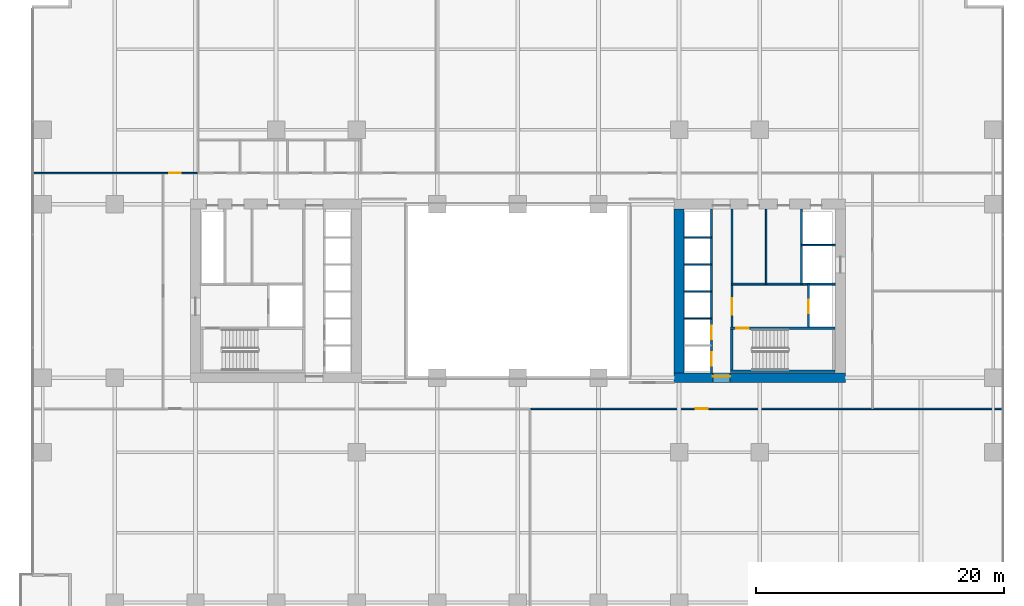
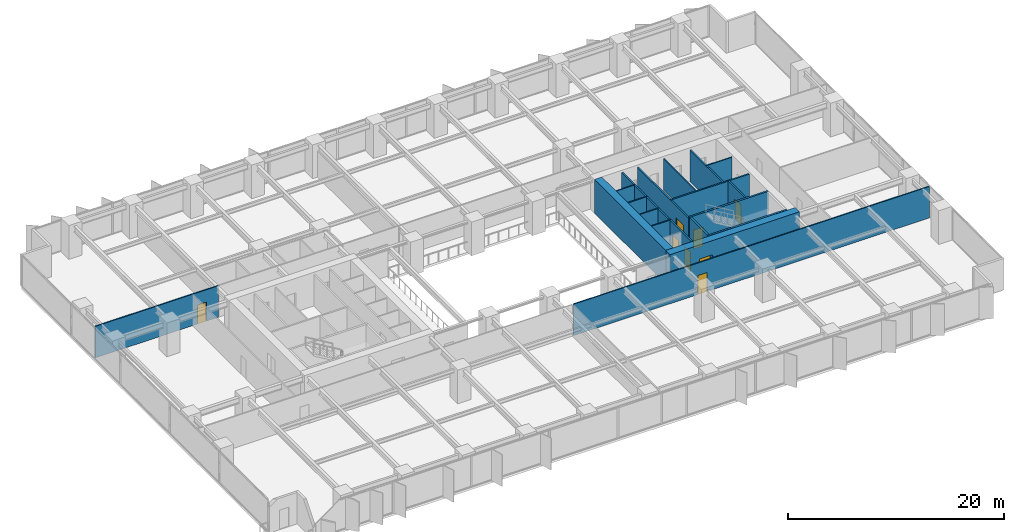
# One storey, part 14 of 20: 18 walls, 8 doors, 8 openings.
"""IFC4 building model written with IfcOpenShell, lengths in metres."""

from ifc_helpers import new_model, si_unit, direction, frame, frame_2d, origin, place, context, subcontext, project, spatial, rectangle, extrude, material, layer, layer_set, type_object, element, fill, save


model = new_model("IFC4")

# Units and contexts
model_context = context("Model", 3, precision=1e-05, world=origin(), true_north=direction((0.0, 1.0)))
body_context = subcontext(model_context, "Body", "Model", "MODEL_VIEW")
ifc_project = project(units=[si_unit("LENGTHUNIT", "METRE"), si_unit("AREAUNIT", "SQUARE_METRE"), si_unit("VOLUMEUNIT", "CUBIC_METRE"), si_unit("PLANEANGLEUNIT", "RADIAN"), si_unit("MASSUNIT", "GRAM", prefix="KILO")], contexts=[model_context])

# Site, building, storey
site_placement = place(None, origin())
site = spatial("IfcSite", under=ifc_project, at=site_placement, CompositionType="ELEMENT")
building_placement = place(site_placement, origin())
building = spatial("IfcBuilding", under=site, at=building_placement, Name="Putna Gate Headquarters", CompositionType="ELEMENT")
storey_placement = place(building_placement, frame((0.0, 0.0, 35.39990234375)))
storey = spatial("IfcBuildingStorey", under=building, at=storey_placement, Name="L07", CompositionType="ELEMENT", Elevation=35.39990234375)

# Wall, opening, door
ifc_material_1 = material(Name="Concrete C60/75", Category="concrete")
ifc_layer_1 = layer(ifc_material_1, 0.800048828125)
ifc_layer_set_1 = layer_set([ifc_layer_1], Name="Concrete C60/75")
wall_type_1 = type_object("IfcWallType", Name="WALL-CORE-800", PredefinedType="SHEAR", material=ifc_layer_set_1)
wall_1_placement = place(storey_placement, frame((51.60009765625, 19.0, 0.0), z_axis=(0.0, 0.0, 1.0), x_axis=(1.0, 0.0, 0.0)))
wall_1 = element("IfcWall", 1, at=wall_1_placement, inside=storey, type_object=wall_type_1, Name="L07 EC Split Core Shear Wall S", PredefinedType="SHEAR", context=body_context, shape_type="SweptSolid", body=[
    extrude(rectangle(XDim=13.7998046875, YDim=0.800048828125, at=frame_2d((6.89990234375, 0.0))), origin(), (0.0, 0.0, 1.0), 3.800048828125),
])
opening_1_placement = place(wall_1_placement, frame((3.1201171875, 0.0, 0.0)))
opening_1 = element("IfcOpeningElement", 2, at=opening_1_placement, cuts=wall_1, Name="Opening FDD-140", PredefinedType="OPENING", context=body_context, shape_type="SweptSolid", body=[
    extrude(rectangle(XDim=1.39990234375, YDim=2.199951171875, at=frame_2d((0.699951171875, 1.10009765625))), frame((0.0, 0.409912109375, 0.0), z_axis=(0.0, -1.0, 0.0), x_axis=(1.0, 0.0, 0.0)), (0.0, 0.0, 1.0), 0.820068359375),
])
ifc_material_2 = material(Name="Double steel fire door", Category="steel")
door_type_1 = type_object("IfcDoorType", Name="DOOR-FIRE-DBL-1400", OperationType="DOUBLE_DOOR_SINGLE_SWING", PredefinedType="DOOR", material=ifc_material_2)
door_1_placement = place(opening_1_placement, origin())
door_1 = element("IfcDoor", 3, at=door_1_placement, inside=storey, type_object=door_type_1, Name="L07 East Lift Lobby South Door", OperationType="DOUBLE_DOOR_SINGLE_SWING", OverallHeight=2.199951171875, OverallWidth=1.39990234375, PredefinedType="DOOR", context=body_context, shape_type="SweptSolid", body=[
    extrude(rectangle(XDim=1.39990234375, YDim=2.199951171875, at=frame_2d((0.699951171875, 1.10009765625))), frame((0.0, 0.125, 0.0), z_axis=(0.0, -1.0, 0.0), x_axis=(1.0, 0.0, 0.0)), (0.0, 0.0, 1.0), 0.050048828125),
])
fill(opening_1, door_1)

# Walls
wall_2_placement = place(storey_placement, frame((52.0, 19.39990234375, 0.0), z_axis=(0.0, 0.0, 1.0), x_axis=(0.0, 1.0, 0.0)))
element("IfcWall", 4, at=wall_2_placement, inside=storey, type_object=wall_type_1, Name="L07 EC Split Core Shear Wall W", PredefinedType="SHEAR", context=body_context, shape_type="SweptSolid", body=[
    extrude(rectangle(XDim=13.2001953125, YDim=0.800048828125, at=frame_2d((6.60009765625, 0.0))), origin(), (0.0, 0.0, 1.0), 3.800048828125),
])
ifc_material_3 = material(Name="Fire-rated shaftwall gypsum board on metal stud")
ifc_layer_2 = layer(ifc_material_3, 0.1201171875)
ifc_layer_set_2 = layer_set([ifc_layer_2], Name="Fire-rated shaftwall gypsum board on metal stud")
wall_type_2 = type_object("IfcWallType", Name="WALL-PART-120-EI120", PredefinedType="PARTITIONING", material=ifc_layer_set_2)
for number, where, z_axis, x_axis, name in (
    (5, (52.39990234375, 23.780029296875, 0.0), (0.0, 0.0, 1.0), (1.0, 0.0, 0.0), "L07 Interior Wall CWINT-L07-EC-LF04-DIV"),
    (6, (52.39990234375, 25.949951171875, 0.0), (0.0, 0.0, 1.0), (1.0, 0.0, 0.0), "L07 Interior Wall CWINT-L07-EC-LF07-DIV"),
    (7, (52.39990234375, 28.1201171875, 0.0), (0.0, 0.0, 1.0), (1.0, 0.0, 0.0), "L07 Interior Wall CWINT-L07-EC-LF08-DIV"),
    (8, (52.39990234375, 30.31005859375, 0.0), (0.0, 0.0, 1.0), (1.0, 0.0, 0.0), "L07 Interior Wall CWINT-L07-EC-LF11-DIV"),
):
    element("IfcWall", number, at=place(storey_placement, frame(where, z_axis=z_axis, x_axis=x_axis)), inside=storey, type_object=wall_type_2, Name=name, PredefinedType="PARTITIONING", context=body_context, shape_type="SweptSolid", body=[
        extrude(rectangle(XDim=2.2001953125, YDim=0.1201171875, at=frame_2d((1.10009765625, 0.0))), origin(), (0.0, 0.0, 1.0), 3.550048828125),
    ])
wall_3_placement = place(storey_placement, frame((61.8701171875, 29.699951171875, 0.0), z_axis=(0.0, 0.0, 1.0), x_axis=(1.0, 0.0, 0.0)))
element("IfcWall", 9, at=wall_3_placement, inside=storey, type_object=wall_type_2, Name="L07 Interior Wall CWINT-L07-EC-LF15-N", PredefinedType="PARTITIONING", context=body_context, shape_type="SweptSolid", body=[
    extrude(rectangle(XDim=2.72998046875, YDim=0.1201171875, at=frame_2d((1.364990234375, 0.0))), origin(), (0.0, 0.0, 1.0), 3.550048828125),
])
ifc_material_4 = material(Name="Fire-rated gypsum board on metal stud")
ifc_layer_3 = layer(ifc_material_4, 0.1201171875)
ifc_layer_set_3 = layer_set([ifc_layer_3], Name="Fire-rated gypsum board on metal stud")
wall_type_3 = type_object("IfcWallType", Name="WALL-PART-120-RATED", PredefinedType="PARTITIONING", material=ifc_layer_set_3)
wall_4_placement = place(storey_placement, frame((59.02001953125, 26.56005859375, 0.0), z_axis=(0.0, 0.0, 1.0), x_axis=(0.0, 1.0, 0.0)))
element("IfcWall", 10, at=wall_4_placement, inside=storey, type_object=wall_type_3, Name="L07 Interior Wall CWINT-L07-EC-K1-DIV", PredefinedType="PARTITIONING", context=body_context, shape_type="SweptSolid", body=[
    extrude(rectangle(XDim=6.0400390625, YDim=0.1201171875, at=frame_2d((3.02001953125, 0.0))), origin(), (0.0, 0.0, 1.0), 3.550048828125),
])

# Wall, opening, door
wall_5_placement = place(storey_placement, frame((-0.02001953125, 35.5, 0.0), z_axis=(0.0, 0.0, 1.0), x_axis=(1.0, 0.0, 0.0)))
wall_5 = element("IfcWall", 11, at=wall_5_placement, inside=storey, type_object=wall_type_3, Name="L07 Interior Wall PART-L07-NB-CW-01", PredefinedType="PARTITIONING", context=body_context, shape_type="SweptSolid", body=[
    extrude(rectangle(XDim=13.159912109375, YDim=0.1201171875, at=frame_2d((6.580078125, 0.0))), origin(), (0.0, 0.0, 1.0), 3.550048828125),
])
opening_2_placement = place(wall_5_placement, frame((10.89990234375, 0.0, 0.0)))
opening_2 = element("IfcOpeningElement", 12, at=opening_2_placement, cuts=wall_5, Name="Opening FD-95", PredefinedType="OPENING", context=body_context, shape_type="SweptSolid", body=[
    extrude(rectangle(XDim=0.949951171875, YDim=2.14990234375, at=frame_2d((0.47509765625, 1.074951171875))), frame((0.0, 0.070068359375, 0.0), z_axis=(0.0, -1.0, 0.0), x_axis=(1.0, 0.0, 0.0)), (0.0, 0.0, 1.0), 0.14013671875),
])
ifc_material_5 = material(Name="Acoustic timber fire door", Category="wood")
door_type_2 = type_object("IfcDoorType", Name="DOOR-FIRE-950", OperationType="NOTDEFINED", PredefinedType="DOOR", material=ifc_material_5)
door_2_placement = place(opening_2_placement, origin())
door_2 = element("IfcDoor", 13, at=door_2_placement, inside=storey, type_object=door_type_2, Name="L07 Cellular Office 1 Door", OperationType="SINGLE_SWING_LEFT", OverallHeight=2.14990234375, OverallWidth=0.949951171875, PredefinedType="DOOR", context=body_context, shape_type="SweptSolid", body=[
    extrude(rectangle(XDim=0.949951171875, YDim=2.14990234375, at=frame_2d((0.47509765625, 1.074951171875))), frame((0.0, 0.02490234375, 0.0), z_axis=(0.0, -1.0, 0.0), x_axis=(1.0, 0.0, 0.0)), (0.0, 0.0, 1.0), 0.050048828125),
])
fill(opening_2, door_2)

wall_6_placement = place(storey_placement, frame((40.043212890625, 16.5, 0.0), z_axis=(0.0, 0.0, 1.0), x_axis=(1.0, 0.0, 0.0)))
wall_6 = element("IfcWall", 14, at=wall_6_placement, inside=storey, type_object=wall_type_3, Name="L07 Interior Wall PART-L07-SB-CW-02", PredefinedType="PARTITIONING", context=body_context, shape_type="SweptSolid", body=[
    extrude(rectangle(XDim=37.976806640625, YDim=0.1201171875, at=frame_2d((18.98828125, 0.0))), origin(), (0.0, 0.0, 1.0), 3.550048828125),
])
opening_3_placement = place(wall_6_placement, frame((13.30322265625, 0.0, 0.0)))
opening_3 = element("IfcOpeningElement", 15, at=opening_3_placement, cuts=wall_6, Name="Opening FD-95", PredefinedType="OPENING", context=body_context, shape_type="SweptSolid", body=[
    extrude(rectangle(XDim=0.949951171875, YDim=2.14990234375, at=frame_2d((0.47509765625, 1.074951171875))), frame((0.0, 0.070068359375, 0.0), z_axis=(0.0, -1.0, 0.0), x_axis=(1.0, 0.0, 0.0)), (0.0, 0.0, 1.0), 0.14013671875),
])
door_3_placement = place(opening_3_placement, origin())
door_3 = element("IfcDoor", 16, at=door_3_placement, inside=storey, type_object=door_type_2, Name="L07 Quiet Wellness Focus Studio 2 Door", OperationType="SINGLE_SWING_LEFT", OverallHeight=2.14990234375, OverallWidth=0.949951171875, PredefinedType="DOOR", context=body_context, shape_type="SweptSolid", body=[
    extrude(rectangle(XDim=0.949951171875, YDim=2.14990234375, at=frame_2d((0.47509765625, 1.074951171875))), frame((0.0, 0.02490234375, 0.0), z_axis=(0.0, -1.0, 0.0), x_axis=(1.0, 0.0, 0.0)), (0.0, 0.0, 1.0), 0.050048828125),
])
fill(opening_3, door_3)

# Wall, openings, doors
ifc_material_6 = material(Name="Concrete C40/50", Category="concrete")
ifc_layer_4 = layer(ifc_material_6, 0.159912109375)
ifc_layer_set_4 = layer_set([ifc_layer_4], Name="Concrete C40/50")
wall_type_4 = type_object("IfcWallType", Name="WALL-SHAFT-160", PredefinedType="STANDARD", material=ifc_layer_set_4)
wall_7_placement = place(storey_placement, frame((54.60009765625, 19.39990234375, 0.0), z_axis=(0.0, 0.0, 1.0), x_axis=(0.0, 1.0, 0.0)))
wall_7 = element("IfcWall", 17, at=wall_7_placement, inside=storey, type_object=wall_type_4, Name="L07 Interior Wall CWINT-L07-EC-PL-WALL", PredefinedType="STANDARD", context=body_context, shape_type="SweptSolid", body=[
    extrude(rectangle(XDim=13.2001953125, YDim=0.159912109375, at=frame_2d((6.60009765625, 0.0))), origin(), (0.0, 0.0, 1.0), 3.550048828125),
])
opening_4_placement = place(wall_7_placement, frame((0.550048828125, 0.0, 0.0)))
opening_4 = element("IfcOpeningElement", 18, at=opening_4_placement, cuts=wall_7, Name="Opening LD-1", PredefinedType="OPENING", context=body_context, shape_type="SweptSolid", body=[
    extrude(rectangle(XDim=1.10009765625, YDim=2.199951171875, at=frame_2d((0.550048828125, 1.10009765625))), frame((0.0, 0.08984375, 0.0), z_axis=(0.0, -1.0, 0.0), x_axis=(1.0, 0.0, 0.0)), (0.0, 0.0, 1.0), 0.179931640625),
])
opening_5_placement = place(wall_7_placement, frame((2.699951171875, 0.0, 0.0)))
opening_5 = element("IfcOpeningElement", 19, at=opening_5_placement, cuts=wall_7, Name="Opening LD-1", PredefinedType="OPENING", context=body_context, shape_type="SweptSolid", body=[
    extrude(rectangle(XDim=1.10009765625, YDim=2.199951171875, at=frame_2d((0.550048828125, 1.10009765625))), frame((0.0, 0.08984375, 0.0), z_axis=(0.0, -1.0, 0.0), x_axis=(1.0, 0.0, 0.0)), (0.0, 0.0, 1.0), 0.179931640625),
])
ifc_material_7 = material(Name="Brushed bronze stainless lift landing door")
door_type_3 = type_object("IfcDoorType", Name="DOOR-LIFT-1100", OperationType="DOUBLE_DOOR_SLIDING", PredefinedType="DOOR", material=ifc_material_7)
door_4_placement = place(opening_4_placement, origin())
door_4 = element("IfcDoor", 20, at=door_4_placement, inside=storey, type_object=door_type_3, Name="L07 Lift Landing Door LD-03", OperationType="DOUBLE_DOOR_SLIDING", OverallHeight=2.199951171875, OverallWidth=1.10009765625, PredefinedType="DOOR", context=body_context, shape_type="SweptSolid", body=[
    extrude(rectangle(XDim=1.10009765625, YDim=2.199951171875, at=frame_2d((0.550048828125, 1.10009765625))), frame((0.0, 0.02490234375, 0.0), z_axis=(0.0, -1.0, 0.0), x_axis=(1.0, 0.0, 0.0)), (0.0, 0.0, 1.0), 0.050048828125),
])
fill(opening_4, door_4)
door_5_placement = place(opening_5_placement, origin())
door_5 = element("IfcDoor", 21, at=door_5_placement, inside=storey, type_object=door_type_3, Name="L07 Lift Landing Door LD-04", OperationType="DOUBLE_DOOR_SLIDING", OverallHeight=2.199951171875, OverallWidth=1.10009765625, PredefinedType="DOOR", context=body_context, shape_type="SweptSolid", body=[
    extrude(rectangle(XDim=1.10009765625, YDim=2.199951171875, at=frame_2d((0.550048828125, 1.10009765625))), frame((0.0, 0.02490234375, 0.0), z_axis=(0.0, -1.0, 0.0), x_axis=(1.0, 0.0, 0.0)), (0.0, 0.0, 1.0), 0.050048828125),
])
fill(opening_5, door_5)

# Wall, opening, door
wall_8_placement = place(storey_placement, frame((56.260009765625, 23.090087890625, 0.0), z_axis=(0.0, 0.0, 1.0), x_axis=(0.0, 1.0, 0.0)))
wall_8 = element("IfcWall", 22, at=wall_8_placement, inside=storey, type_object=wall_type_4, Name="L07 Interior Wall CWINT-L07-EC-LOB-E", PredefinedType="STANDARD", context=body_context, shape_type="SweptSolid", body=[
    extrude(rectangle(XDim=9.510009765625, YDim=0.159912109375, at=frame_2d((4.7548828125, 0.0))), origin(), (0.0, 0.0, 1.0), 3.550048828125),
])
opening_6_placement = place(wall_8_placement, frame((1.010009765625, 0.0, 0.0)))
opening_6 = element("IfcOpeningElement", 23, at=opening_6_placement, cuts=wall_8, Name="Opening FDD-130", PredefinedType="OPENING", context=body_context, shape_type="SweptSolid", body=[
    extrude(rectangle(XDim=1.300048828125, YDim=2.199951171875, at=frame_2d((0.64990234375, 1.10009765625))), frame((0.0, 0.08984375, 0.0), z_axis=(0.0, -1.0, 0.0), x_axis=(1.0, 0.0, 0.0)), (0.0, 0.0, 1.0), 0.179931640625),
])
ifc_material_8 = material(Name="Double steel lobby fire door", Category="steel")
door_type_4 = type_object("IfcDoorType", Name="DOOR-FIRE-DBL-1300", OperationType="DOUBLE_DOOR_SINGLE_SWING", PredefinedType="DOOR", material=ifc_material_8)
door_6_placement = place(opening_6_placement, origin())
door_6 = element("IfcDoor", 24, at=door_6_placement, inside=storey, type_object=door_type_4, Name="L07 East Firefighting Lobby Door", OperationType="DOUBLE_DOOR_SINGLE_SWING", OverallHeight=2.199951171875, OverallWidth=1.300048828125, PredefinedType="DOOR", context=body_context, shape_type="SweptSolid", body=[
    extrude(rectangle(XDim=1.300048828125, YDim=2.199951171875, at=frame_2d((0.64990234375, 1.10009765625))), frame((0.0, 0.02490234375, 0.0), z_axis=(0.0, -1.0, 0.0), x_axis=(1.0, 0.0, 0.0)), (0.0, 0.0, 1.0), 0.050048828125),
])
fill(opening_6, door_6)

wall_9_placement = place(storey_placement, frame((62.429931640625, 23.090087890625, 0.0), z_axis=(0.0, 0.0, 1.0), x_axis=(0.0, 1.0, 0.0)))
wall_9 = element("IfcWall", 25, at=wall_9_placement, inside=storey, type_object=wall_type_4, Name="L07 Interior Wall CWINT-L07-EC-LF14-W", PredefinedType="STANDARD", context=body_context, shape_type="SweptSolid", body=[
    extrude(rectangle(XDim=3.469970703125, YDim=0.159912109375, at=frame_2d((1.73486328125, 0.0))), origin(), (0.0, 0.0, 1.0), 3.550048828125),
])
opening_7_placement = place(wall_9_placement, frame((1.10009765625, 0.0, 0.0)))
opening_7 = element("IfcOpeningElement", 26, at=opening_7_placement, cuts=wall_9, Name="Opening LD-1", PredefinedType="OPENING", context=body_context, shape_type="SweptSolid", body=[
    extrude(rectangle(XDim=1.10009765625, YDim=2.199951171875, at=frame_2d((0.550048828125, 1.10009765625))), frame((0.0, 0.08984375, 0.0), z_axis=(0.0, -1.0, 0.0), x_axis=(1.0, 0.0, 0.0)), (0.0, 0.0, 1.0), 0.179931640625),
])
door_7_placement = place(opening_7_placement, origin())
door_7 = element("IfcDoor", 27, at=door_7_placement, inside=storey, type_object=door_type_3, Name="L07 Lift Landing Door LD-14", OperationType="DOUBLE_DOOR_SLIDING", OverallHeight=2.199951171875, OverallWidth=1.10009765625, PredefinedType="DOOR", context=body_context, shape_type="SweptSolid", body=[
    extrude(rectangle(XDim=1.10009765625, YDim=2.199951171875, at=frame_2d((0.550048828125, 1.10009765625))), frame((0.0, 0.02490234375, 0.0), z_axis=(0.0, -1.0, 0.0), x_axis=(1.0, 0.0, 0.0)), (0.0, 0.0, 1.0), 0.050048828125),
])
fill(opening_7, door_7)

# Walls
wall_10_placement = place(storey_placement, frame((56.260009765625, 26.56005859375, 0.0), z_axis=(0.0, 0.0, 1.0), x_axis=(1.0, 0.0, 0.0)))
element("IfcWall", 28, at=wall_10_placement, inside=storey, type_object=wall_type_4, Name="L07 Interior Wall CWINT-L07-EC-FFL-N", PredefinedType="STANDARD", context=body_context, shape_type="SweptSolid", body=[
    extrude(rectangle(XDim=8.340087890625, YDim=0.159912109375, at=frame_2d((4.169921875, 0.0))), origin(), (0.0, 0.0, 1.0), 3.550048828125),
])
wall_11_placement = place(storey_placement, frame((61.8701171875, 26.56005859375, 0.0), z_axis=(0.0, 0.0, 1.0), x_axis=(0.0, 1.0, 0.0)))
element("IfcWall", 29, at=wall_11_placement, inside=storey, type_object=wall_type_4, Name="L07 Interior Wall CWINT-L07-EC-LF15-W", PredefinedType="STANDARD", context=body_context, shape_type="SweptSolid", body=[
    extrude(rectangle(XDim=6.0400390625, YDim=0.159912109375, at=frame_2d((3.02001953125, 0.0))), origin(), (0.0, 0.0, 1.0), 3.550048828125),
])
ifc_layer_5 = layer(ifc_material_6, 0.199951171875)
ifc_layer_set_5 = layer_set([ifc_layer_5], Name="Concrete C40/50")
wall_type_5 = type_object("IfcWallType", Name="WALL-SHAFT-RC200", PredefinedType="SHEAR", material=ifc_layer_set_5)
wall_12_placement = place(storey_placement, frame((56.159912109375, 19.510009765625, 0.0), z_axis=(0.0, 0.0, 1.0), x_axis=(1.0, 0.0, 0.0)))
element("IfcWall", 30, at=wall_12_placement, inside=storey, type_object=wall_type_5, Name="L07 Stair ST2 Structural Shaft Wall S", PredefinedType="SHEAR", context=body_context, shape_type="SweptSolid", body=[
    extrude(rectangle(XDim=8.43017578125, YDim=0.199951171875, at=frame_2d((4.215087890625, 0.0))), origin(), (0.0, 0.0, 1.0), 3.800048828125),
])

# Wall, opening, door
wall_13_placement = place(storey_placement, frame((56.159912109375, 22.989990234375, 0.0), z_axis=(0.0, 0.0, 1.0), x_axis=(1.0, 0.0, 0.0)))
wall_13 = element("IfcWall", 31, at=wall_13_placement, inside=storey, type_object=wall_type_5, Name="L07 Stair ST2 Structural Shaft Wall N", PredefinedType="SHEAR", context=body_context, shape_type="SweptSolid", body=[
    extrude(rectangle(XDim=8.43017578125, YDim=0.199951171875, at=frame_2d((4.215087890625, 0.0))), origin(), (0.0, 0.0, 1.0), 3.800048828125),
])
opening_8_placement = place(wall_13_placement, frame((0.449951171875, 0.0, 0.0)))
opening_8 = element("IfcOpeningElement", 32, at=opening_8_placement, cuts=wall_13, Name="Opening FD-100", PredefinedType="OPENING", context=body_context, shape_type="SweptSolid", body=[
    extrude(rectangle(XDim=1.0, YDim=2.14990234375, at=frame_2d((0.5, 1.074951171875))), frame((0.0, 0.10986328125, 0.0), z_axis=(0.0, -1.0, 0.0), x_axis=(1.0, 0.0, 0.0)), (0.0, 0.0, 1.0), 0.219970703125),
])
ifc_material_9 = material(Name="Powder-coated steel fire door", Category="steel")
door_type_5 = type_object("IfcDoorType", Name="DOOR-FIRE-1000", OperationType="NOTDEFINED", PredefinedType="DOOR", material=ifc_material_9)
door_8_placement = place(opening_8_placement, origin())
door_8 = element("IfcDoor", 33, at=door_8_placement, inside=storey, type_object=door_type_5, Name="L07 Stair ST2 Fire Door", OperationType="SINGLE_SWING_RIGHT", OverallHeight=2.14990234375, OverallWidth=1.0, PredefinedType="DOOR", context=body_context, shape_type="SweptSolid", body=[
    extrude(rectangle(XDim=1.0, YDim=2.14990234375, at=frame_2d((0.5, 1.074951171875))), frame((0.0, 0.02490234375, 0.0), z_axis=(0.0, -1.0, 0.0), x_axis=(1.0, 0.0, 0.0)), (0.0, 0.0, 1.0), 0.050048828125),
])
fill(opening_8, door_8)

# Wall
wall_14_placement = place(storey_placement, frame((56.260009765625, 19.610107421875, 0.0), z_axis=(0.0, 0.0, 1.0), x_axis=(0.0, 1.0, 0.0)))
element("IfcWall", 34, at=wall_14_placement, inside=storey, type_object=wall_type_5, Name="L07 Stair ST2 Structural Shaft Wall W", PredefinedType="SHEAR", context=body_context, shape_type="SweptSolid", body=[
    extrude(rectangle(XDim=3.27978515625, YDim=0.199951171875, at=frame_2d((1.639892578125, 0.0))), origin(), (0.0, 0.0, 1.0), 3.800048828125),
])

save(model, "model.ifc")
